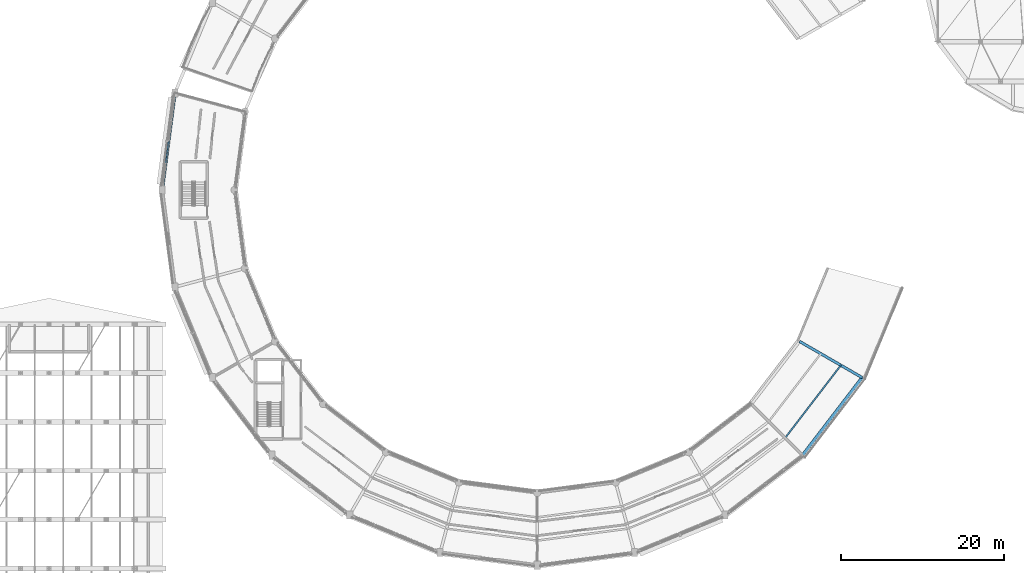
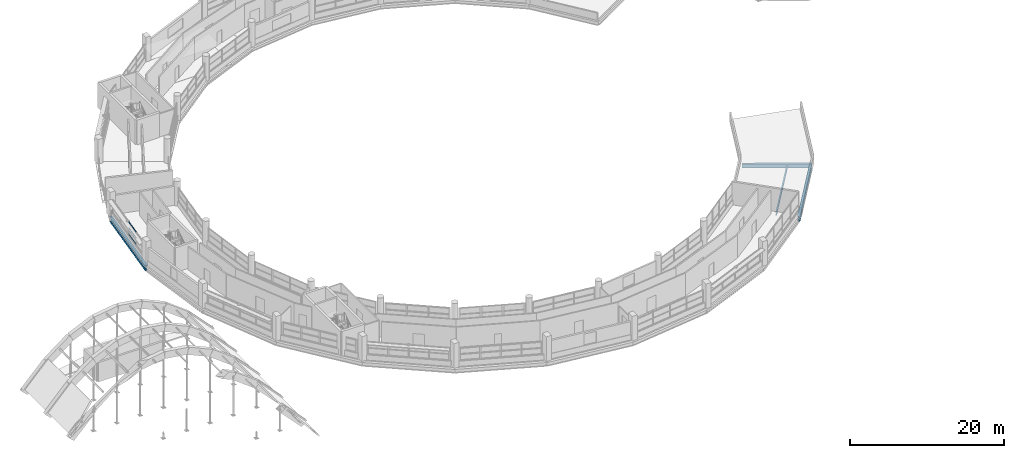
# One storey, part 30 of 88: 4 beams, 3 members, 1 element without a shape of its own.
"""IFC4 building model written with IfcOpenShell, lengths in metres."""

from ifc_helpers import new_model, si_unit, direction, frame, origin, origin_2d, place, context, subcontext, project, spatial, hollow_rectangle, i_section, extrude, material, layer, layer_set, material_profile, profile_set, type_object, element, aggregate, save


model = new_model("IFC4")

# Units and contexts
model_context = context("Model", 3, precision=1e-05, world=origin(), true_north=direction((0.0, 1.0)))
body_context = subcontext(model_context, "Body", "Model", "MODEL_VIEW")
ifc_project = project(units=[si_unit("LENGTHUNIT", "METRE"), si_unit("AREAUNIT", "SQUARE_METRE"), si_unit("VOLUMEUNIT", "CUBIC_METRE"), si_unit("PLANEANGLEUNIT", "RADIAN"), si_unit("MASSUNIT", "GRAM", prefix="KILO")], contexts=[model_context])

# Site, building, storey
site_placement = place(None, origin())
site = spatial("IfcSite", under=ifc_project, at=site_placement, CompositionType="ELEMENT")
building_placement = place(site_placement, origin())
building = spatial("IfcBuilding", under=site, at=building_placement, Name="Vespera Passage Community Centre", CompositionType="ELEMENT")
storey_placement = place(building_placement, frame((0.0, 0.0, 16.5)))
storey = spatial("IfcBuildingStorey", under=building, at=storey_placement, Name="L04", CompositionType="ELEMENT", Elevation=16.5)

# Beams
ifc_material_1 = material(Name="Steel ASTM A992 Grade 50", Category="steel")
ifc_material_profile_1 = material_profile(ifc_material_1, i_section(OverallWidth=0.32763671875, OverallDepth=0.62841796875, WebThickness=0.0166015625, FlangeThickness=0.027587890625, FilletRadius=0.0126953125, at=origin_2d()), Name="W24X146")
ifc_profile_set_1 = profile_set([ifc_material_profile_1], Name="Steel ASTM A992 Grade 50")
beam_type_1 = type_object("IfcBeamType", Name="BM-G-W24X146", PredefinedType="BEAM", material=ifc_profile_set_1)
beam_1_placement = place(storey_placement, frame((110.216064453125, 46.89990234375, -0.6142578125), z_axis=(0.866031643847, -0.499989191739, 0.0), x_axis=(0.499989191739, 0.866031643847, 0.0)))
element("IfcBeam", 1, at=beam_1_placement, inside=storey, type_object=beam_type_1, Name="V4 L04 Radial Girder 22", PredefinedType="BEAM", context=body_context, shape_type="SweptSolid", body=[
    extrude(i_section(OverallWidth=0.32763671875, OverallDepth=0.62841796875, WebThickness=0.0166015625, FlangeThickness=0.027587890625, FilletRadius=0.0126953125, at=origin_2d()), origin(), (0.0, 0.0, 1.0), 8.900146484375),
])
ifc_material_2 = material(Name="Steel ASTM A992 Grade 50", Category="steel")
ifc_material_profile_2 = material_profile(ifc_material_2, i_section(OverallWidth=0.180908203125, OverallDepth=0.417236328125, WebThickness=0.010986328125, FlangeThickness=0.018310546875, FilletRadius=0.01025390625, at=origin_2d()), Name="W16X57")
ifc_profile_set_2 = profile_set([ifc_material_profile_2], Name="Steel ASTM A992 Grade 50")
beam_type_2 = type_object("IfcBeamType", Name="BM-J-W16X57", PredefinedType="JOIST", material=ifc_profile_set_2)
beam_2_placement = place(storey_placement, frame((108.4580078125, 35.0419921875, -0.5087890625), z_axis=(0.608759677873, 0.793354683982, 0.0), x_axis=(-0.793354683982, 0.608759677873, 0.0)))
element("IfcBeam", 2, at=beam_2_placement, inside=storey, type_object=beam_type_2, Name="V4 L04 Floor Joist 21.2", PredefinedType="JOIST", context=body_context, shape_type="SweptSolid", body=[
    extrude(i_section(OverallWidth=0.180908203125, OverallDepth=0.417236328125, WebThickness=0.010986328125, FlangeThickness=0.018310546875, FilletRadius=0.01025390625, at=origin_2d()), origin(), (0.0, 0.0, 1.0), 11.24462890625),
])
ifc_material_3 = material(Name="Steel ASTM A992 Grade 50", Category="steel")
ifc_material_profile_3 = material_profile(ifc_material_3, i_section(OverallWidth=0.382080078125, OverallDepth=0.779296875, WebThickness=0.01806640625, FlangeThickness=0.030029296875, FilletRadius=0.0166015625, at=origin_2d()), Name="W30X191")
ifc_profile_set_3 = profile_set([ifc_material_profile_3], Name="Steel ASTM A992 Grade 50")
beam_type_3 = type_object("IfcBeamType", Name="BM-SP-W30X191E", PredefinedType="SPANDREL", material=ifc_profile_set_3)
beam_3_placement = place(storey_placement, frame((33.470703125, 77.431640625, -0.689697265625), z_axis=(-0.130523782115, -0.991445178667, 0.0), x_axis=(0.991445178667, -0.130523782115, 0.0)))
element("IfcBeam", 3, at=beam_3_placement, inside=storey, type_object=beam_type_3, Name="V4 L04 Outer Spandrel 11", PredefinedType="SPANDREL", context=body_context, shape_type="SweptSolid", body=[
    extrude(i_section(OverallWidth=0.382080078125, OverallDepth=0.779296875, WebThickness=0.01806640625, FlangeThickness=0.030029296875, FilletRadius=0.0166015625, at=origin_2d()), origin(), (0.0, 0.0, 1.0), 12.03466796875),
])
beam_4_placement = place(storey_placement, frame((110.59765625, 32.90234375, -0.689697265625), z_axis=(0.608763261066, 0.793351934501, 0.0), x_axis=(-0.793351934501, 0.608763261066, 0.0)))
element("IfcBeam", 4, at=beam_4_placement, inside=storey, type_object=beam_type_3, Name="V4 L04 Outer Spandrel 21", PredefinedType="SPANDREL", context=body_context, shape_type="SweptSolid", body=[
    extrude(i_section(OverallWidth=0.382080078125, OverallDepth=0.779296875, WebThickness=0.01806640625, FlangeThickness=0.030029296875, FilletRadius=0.0166015625, at=origin_2d()), origin(), (0.0, 0.0, 1.0), 12.034423828125),
])

# Curtain wall, members
ifc_material_4 = material(Name="Anodized aluminium 6063-T6", Category="aluminium")
ifc_layer = layer(ifc_material_4, 0.159912109375)
ifc_layer_set = layer_set([ifc_layer], Name="Anodized aluminium 6063-T6")
curtain_wall_type = type_object("IfcCurtainWallType", Name="CW-63E", PredefinedType="NOTDEFINED", material=ifc_layer_set)
curtain_wall_placement = place(storey_placement, origin())
curtain_wall = element("IfcCurtainWall", 5, at=curtain_wall_placement, inside=storey, type_object=curtain_wall_type, Name="V4 L04 Outer Ribbon Curtain Wall 11", PredefinedType="NOTDEFINED")
ifc_material_5 = material(Name="Anodized aluminium 6063-T6", Category="aluminium")
ifc_material_profile_4 = material_profile(ifc_material_5, hollow_rectangle(XDim=0.10009765625, YDim=0.10009765625, WallThickness=0.00390625, InnerFilletRadius=0.001953125, OuterFilletRadius=0.00390625, at=origin_2d()), Name="ALU100X100X4")
ifc_profile_set_4 = profile_set([ifc_material_profile_4], Name="Anodized aluminium 6063-T6")
member_type = type_object("IfcMemberType", Name="MB-CWT-100E", PredefinedType="USERDEFINED", material=ifc_profile_set_4)
member_1_placement = place(storey_placement, frame((32.344482421875, 68.876708984375, 0.8701171875), z_axis=(0.13051094341, 0.991446868798, 0.0), x_axis=(-0.991446868798, 0.13051094341, 0.0)))
member_1 = element("IfcMember", 6, at=member_1_placement, type_object=member_type, Name="CW-63E transom 2.1", ObjectType="TRANSOM", PredefinedType="USERDEFINED", context=body_context, shape_type="SweptSolid", body=[
    extrude(hollow_rectangle(XDim=0.10009765625, YDim=0.10009765625, WallThickness=0.00390625, InnerFilletRadius=0.001953125, OuterFilletRadius=0.00390625, at=origin_2d()), origin(), (0.0, 0.0, 1.0), 2.573974609375),
])
member_2_placement = place(storey_placement, frame((32.344482421875, 68.876708984375, 1.82275390625), z_axis=(0.13051094341, 0.991446868798, 0.0), x_axis=(-0.991446868798, 0.13051094341, 0.0)))
member_2 = element("IfcMember", 7, at=member_2_placement, type_object=member_type, Name="CW-63E transom 2.2", ObjectType="TRANSOM", PredefinedType="USERDEFINED", context=body_context, shape_type="SweptSolid", body=[
    extrude(hollow_rectangle(XDim=0.10009765625, YDim=0.10009765625, WallThickness=0.00390625, InnerFilletRadius=0.001953125, OuterFilletRadius=0.00390625, at=origin_2d()), origin(), (0.0, 0.0, 1.0), 2.573974609375),
])
member_3_placement = place(storey_placement, frame((32.344482421875, 68.876708984375, 2.775634765625), z_axis=(0.13051094341, 0.991446868798, 0.0), x_axis=(-0.991446868798, 0.13051094341, 0.0)))
member_3 = element("IfcMember", 8, at=member_3_placement, type_object=member_type, Name="CW-63E transom 2.3", ObjectType="TRANSOM", PredefinedType="USERDEFINED", context=body_context, shape_type="SweptSolid", body=[
    extrude(hollow_rectangle(XDim=0.10009765625, YDim=0.10009765625, WallThickness=0.00390625, InnerFilletRadius=0.001953125, OuterFilletRadius=0.00390625, at=origin_2d()), origin(), (0.0, 0.0, 1.0), 2.573974609375),
])
aggregate(curtain_wall, [member_1, member_2, member_3])

save(model, "model.ifc")
